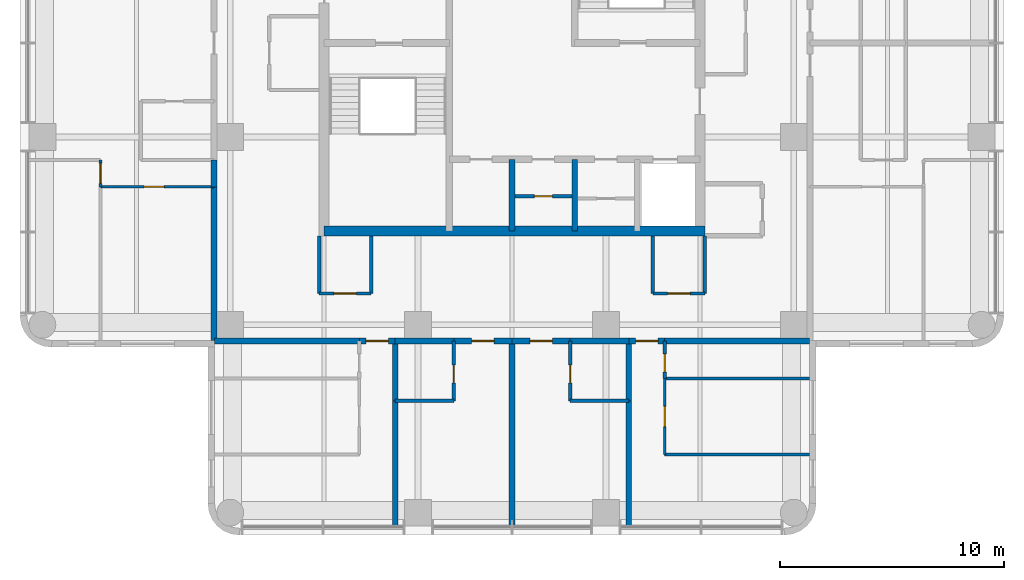
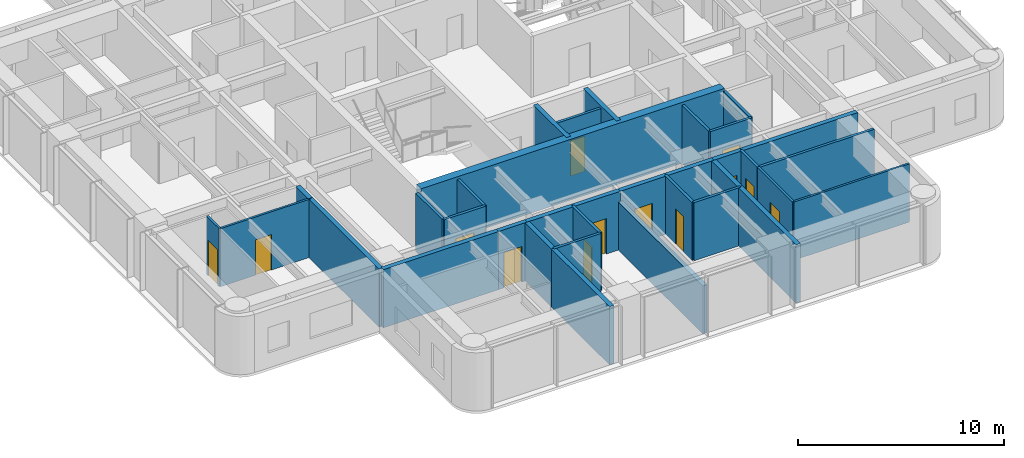
# One storey, part 4 of 10: 35 walls, 13 doors, 13 openings.
"""IFC4 building model written with IfcOpenShell, lengths in metres."""

from ifc_helpers import new_model, si_unit, direction, frame, frame_2d, origin, place, context, subcontext, project, spatial, rectangle, extrude, material, layer, layer_set, type_object, element, fill, save


model = new_model("IFC4")

# Units and contexts
model_context = context("Model", 3, precision=1e-05, world=origin(), true_north=direction((0.0, 1.0)))
body_context = subcontext(model_context, "Body", "Model", "MODEL_VIEW")
ifc_project = project(units=[si_unit("LENGTHUNIT", "METRE"), si_unit("AREAUNIT", "SQUARE_METRE"), si_unit("VOLUMEUNIT", "CUBIC_METRE"), si_unit("PLANEANGLEUNIT", "RADIAN"), si_unit("MASSUNIT", "GRAM", prefix="KILO")], contexts=[model_context])

# Site, building, storey
site_placement = place(None, origin())
site = spatial("IfcSite", under=ifc_project, at=site_placement, CompositionType="ELEMENT")
building_placement = place(site_placement, origin())
building = spatial("IfcBuilding", under=site, at=building_placement, Name="Torre Alcanfor", CompositionType="ELEMENT")
storey_placement = place(building_placement, frame((0.0, 0.0, 275.699951171875)))
storey = spatial("IfcBuildingStorey", under=building, at=storey_placement, Name="L72", CompositionType="ELEMENT", Elevation=275.699951171875)

# Wall, opening, door
ifc_material_1 = material(Name="Concrete block masonry, hollow blocks NMX-C-404 9 MPa", Category="masonry")
ifc_layer_1 = layer(ifc_material_1, 0.25)
ifc_layer_set_1 = layer_set([ifc_layer_1], Name="Apartment entrance wall 250 EI 60")
wall_type_1 = type_object("IfcWallType", Name="Apartment entrance wall 250 EI 60", PredefinedType="PARTITIONING", material=ifc_layer_set_1)
wall_1_placement = place(storey_placement, frame((32.0, 16.074951171875, 0.0), z_axis=(0.0, 0.0, 1.0), x_axis=(-1.0, 0.0, 0.0)))
wall_1 = element("IfcWall", 1, at=wall_1_placement, inside=storey, type_object=wall_type_1, Name="Partition L72-CORR / L72-S1A-STUDIO", PredefinedType="PARTITIONING", context=body_context, shape_type="SweptSolid", body=[
    extrude(rectangle(XDim=2.60009765625, YDim=0.25, at=frame_2d((1.300048828125, 0.0))), origin(), (0.0, 0.0, 1.0), 3.449951171875),
])
opening_1_placement = place(wall_1_placement, frame((0.800048828125, 0.0, 0.0)))
opening_1 = element("IfcOpeningElement", 2, at=opening_1_placement, cuts=wall_1, Name="Opening D-A1", PredefinedType="OPENING", context=body_context, shape_type="SweptSolid", body=[
    extrude(rectangle(XDim=1.0, YDim=2.10009765625, at=frame_2d((0.5, 1.050048828125))), frame((0.0, 0.135009765625, 0.0), z_axis=(0.0, -1.0, 0.0), x_axis=(1.0, 0.0, 0.0)), (0.0, 0.0, 1.0), 0.27001953125),
])
ifc_material_2 = material(Name="Galvanised steel sheet ASTM A653", Category="steel")
door_type_1 = type_object("IfcDoorType", Name="Apartment entrance door FD60 1000x2100", OperationType="SINGLE_SWING_LEFT", PredefinedType="DOOR", material=ifc_material_2)
door_1_placement = place(opening_1_placement, origin())
door_1 = element("IfcDoor", 3, at=door_1_placement, inside=storey, type_object=door_type_1, Name="Apartment entrance L72-S1A", OperationType="SINGLE_SWING_LEFT", OverallHeight=2.10009765625, OverallWidth=1.0, PredefinedType="DOOR", context=body_context, shape_type="SweptSolid", body=[
    extrude(rectangle(XDim=1.0, YDim=2.10009765625, at=frame_2d((0.5, 1.050048828125))), frame((0.0, 0.02490234375, 0.0), z_axis=(0.0, -1.0, 0.0), x_axis=(1.0, 0.0, 0.0)), (0.0, 0.0, 1.0), 0.050048828125),
])
fill(opening_1, door_1)

# Wall
wall_2_placement = place(storey_placement, frame((34.62890625, 16.074951171875, 0.0), z_axis=(0.0, 0.0, 1.0), x_axis=(-1.0, 0.0, 0.0)))
element("IfcWall", 4, at=wall_2_placement, inside=storey, type_object=wall_type_1, Name="Partition L72-CORR / L72-S1A-BATH", PredefinedType="PARTITIONING", context=body_context, shape_type="SweptSolid", body=[
    extrude(rectangle(XDim=2.62890625, YDim=0.25, at=frame_2d((1.314453125, 0.0))), origin(), (0.0, 0.0, 1.0), 3.449951171875),
])

# Wall, opening, door
wall_3_placement = place(storey_placement, frame((36.22900390625, 16.074951171875, 0.0), z_axis=(0.0, 0.0, 1.0), x_axis=(-1.0, 0.0, 0.0)))
wall_3 = element("IfcWall", 5, at=wall_3_placement, inside=storey, type_object=wall_type_1, Name="Partition L72-CORR / L72-S1B-LIVING", PredefinedType="PARTITIONING", context=body_context, shape_type="SweptSolid", body=[
    extrude(rectangle(XDim=1.60009765625, YDim=0.25, at=frame_2d((0.800048828125, 0.0))), origin(), (0.0, 0.0, 1.0), 3.449951171875),
])
opening_2_placement = place(wall_3_placement, frame((0.300048828125, 0.0, 0.0)))
opening_2 = element("IfcOpeningElement", 6, at=opening_2_placement, cuts=wall_3, Name="Opening D-A1", PredefinedType="OPENING", context=body_context, shape_type="SweptSolid", body=[
    extrude(rectangle(XDim=1.0, YDim=2.10009765625, at=frame_2d((0.5, 1.050048828125))), frame((0.0, 0.135009765625, 0.0), z_axis=(0.0, -1.0, 0.0), x_axis=(1.0, 0.0, 0.0)), (0.0, 0.0, 1.0), 0.27001953125),
])
door_2_placement = place(opening_2_placement, origin())
door_2 = element("IfcDoor", 7, at=door_2_placement, inside=storey, type_object=door_type_1, Name="Apartment entrance L72-S1B", OperationType="SINGLE_SWING_LEFT", OverallHeight=2.10009765625, OverallWidth=1.0, PredefinedType="DOOR", context=body_context, shape_type="SweptSolid", body=[
    extrude(rectangle(XDim=1.0, YDim=2.10009765625, at=frame_2d((0.5, 1.050048828125))), frame((0.0, 0.02490234375, 0.0), z_axis=(0.0, -1.0, 0.0), x_axis=(1.0, 0.0, 0.0)), (0.0, 0.0, 1.0), 0.050048828125),
])
fill(opening_2, door_2)

# Wall
wall_4_placement = place(storey_placement, frame((42.699951171875, 16.074951171875, 0.0), z_axis=(0.0, 0.0, 1.0), x_axis=(-1.0, 0.0, 0.0)))
element("IfcWall", 8, at=wall_4_placement, inside=storey, type_object=wall_type_1, Name="Partition L72-CORR / L72-S1B-BATH", PredefinedType="PARTITIONING", context=body_context, shape_type="SweptSolid", body=[
    extrude(rectangle(XDim=6.470947265625, YDim=0.25, at=frame_2d((3.2353515625, 0.0))), origin(), (0.0, 0.0, 1.0), 3.449951171875),
])

# Wall, opening, door
wall_5_placement = place(storey_placement, frame((29.39990234375, 16.074951171875, 0.0), z_axis=(0.0, 0.0, 1.0), x_axis=(-1.0, 0.0, 0.0)))
wall_5 = element("IfcWall", 9, at=wall_5_placement, inside=storey, type_object=wall_type_1, Name="Partition L72-CORR / L72-S2A-STUDIO", PredefinedType="PARTITIONING", context=body_context, shape_type="SweptSolid", body=[
    extrude(rectangle(XDim=2.599853515625, YDim=0.25, at=frame_2d((1.2998046875, 0.0))), origin(), (0.0, 0.0, 1.0), 3.449951171875),
])
opening_3_placement = place(wall_5_placement, frame((0.800048828125, 0.0, 0.0)))
opening_3 = element("IfcOpeningElement", 10, at=opening_3_placement, cuts=wall_5, Name="Opening D-A1", PredefinedType="OPENING", context=body_context, shape_type="SweptSolid", body=[
    extrude(rectangle(XDim=1.0, YDim=2.10009765625, at=frame_2d((0.5, 1.050048828125))), frame((0.0, 0.135009765625, 0.0), z_axis=(0.0, -1.0, 0.0), x_axis=(1.0, 0.0, 0.0)), (0.0, 0.0, 1.0), 0.27001953125),
])
door_3_placement = place(opening_3_placement, origin())
door_3 = element("IfcDoor", 11, at=door_3_placement, inside=storey, type_object=door_type_1, Name="Apartment entrance L72-S2A", OperationType="SINGLE_SWING_LEFT", OverallHeight=2.10009765625, OverallWidth=1.0, PredefinedType="DOOR", context=body_context, shape_type="SweptSolid", body=[
    extrude(rectangle(XDim=1.0, YDim=2.10009765625, at=frame_2d((0.5, 1.050048828125))), frame((0.0, 0.02490234375, 0.0), z_axis=(0.0, -1.0, 0.0), x_axis=(1.0, 0.0, 0.0)), (0.0, 0.0, 1.0), 0.050048828125),
])
fill(opening_3, door_3)

# Wall
wall_6_placement = place(storey_placement, frame((26.800048828125, 16.074951171875, 0.0), z_axis=(0.0, 0.0, 1.0), x_axis=(-1.0, 0.0, 0.0)))
element("IfcWall", 12, at=wall_6_placement, inside=storey, type_object=wall_type_1, Name="Partition L72-CORR / L72-S2A-BATH", PredefinedType="PARTITIONING", context=body_context, shape_type="SweptSolid", body=[
    extrude(rectangle(XDim=2.629150390625, YDim=0.25, at=frame_2d((1.314453125, 0.0))), origin(), (0.0, 0.0, 1.0), 3.449951171875),
])

# Wall, opening, door
wall_7_placement = place(storey_placement, frame((24.1708984375, 16.074951171875, 0.0), z_axis=(0.0, 0.0, 1.0), x_axis=(-1.0, 0.0, 0.0)))
wall_7 = element("IfcWall", 13, at=wall_7_placement, inside=storey, type_object=wall_type_1, Name="Partition L72-CORR / L72-S2B-LIVING", PredefinedType="PARTITIONING", context=body_context, shape_type="SweptSolid", body=[
    extrude(rectangle(XDim=1.599853515625, YDim=0.25, at=frame_2d((0.7998046875, 0.0))), origin(), (0.0, 0.0, 1.0), 3.449951171875),
])
opening_4_placement = place(wall_7_placement, frame((0.300048828125, 0.0, 0.0)))
opening_4 = element("IfcOpeningElement", 14, at=opening_4_placement, cuts=wall_7, Name="Opening D-A1", PredefinedType="OPENING", context=body_context, shape_type="SweptSolid", body=[
    extrude(rectangle(XDim=1.0, YDim=2.10009765625, at=frame_2d((0.5, 1.050048828125))), frame((0.0, 0.135009765625, 0.0), z_axis=(0.0, -1.0, 0.0), x_axis=(1.0, 0.0, 0.0)), (0.0, 0.0, 1.0), 0.27001953125),
])
door_4_placement = place(opening_4_placement, origin())
door_4 = element("IfcDoor", 15, at=door_4_placement, inside=storey, type_object=door_type_1, Name="Apartment entrance L72-S2B", OperationType="SINGLE_SWING_LEFT", OverallHeight=2.10009765625, OverallWidth=1.0, PredefinedType="DOOR", context=body_context, shape_type="SweptSolid", body=[
    extrude(rectangle(XDim=1.0, YDim=2.10009765625, at=frame_2d((0.5, 1.050048828125))), frame((0.0, 0.02490234375, 0.0), z_axis=(0.0, -1.0, 0.0), x_axis=(1.0, 0.0, 0.0)), (0.0, 0.0, 1.0), 0.050048828125),
])
fill(opening_4, door_4)

# Walls
wall_8_placement = place(storey_placement, frame((22.571044921875, 16.074951171875, 0.0), z_axis=(0.0, 0.0, 1.0), x_axis=(-1.0, 0.0, 0.0)))
element("IfcWall", 16, at=wall_8_placement, inside=storey, type_object=wall_type_1, Name="Partition L72-CORR / L72-S2B-BATH", PredefinedType="PARTITIONING", context=body_context, shape_type="SweptSolid", body=[
    extrude(rectangle(XDim=6.470947265625, YDim=0.25, at=frame_2d((3.2353515625, 0.0))), origin(), (0.0, 0.0, 1.0), 3.449951171875),
])
wall_9_placement = place(storey_placement, frame((16.074951171875, 22.970947265625, 0.0), z_axis=(0.0, 0.0, 1.0), x_axis=(0.0, 1.0, 0.0)))
element("IfcWall", 17, at=wall_9_placement, inside=storey, type_object=wall_type_1, Name="Partition L72-CORR / L72-WX-LIVING", PredefinedType="PARTITIONING", context=body_context, shape_type="SweptSolid", body=[
    extrude(rectangle(XDim=1.199951171875, YDim=0.25, at=frame_2d((0.60009765625, 0.0))), origin(), (0.0, 0.0, 1.0), 3.449951171875),
])
wall_10_placement = place(storey_placement, frame((16.074951171875, 16.10009765625, 0.0), z_axis=(0.0, 0.0, 1.0), x_axis=(0.0, 1.0, 0.0)))
element("IfcWall", 18, at=wall_10_placement, inside=storey, type_object=wall_type_1, Name="Partition L72-CORR / L72-WX-BED2", PredefinedType="PARTITIONING", context=body_context, shape_type="SweptSolid", body=[
    extrude(rectangle(XDim=6.870849609375, YDim=0.25, at=frame_2d((3.435546875, 0.0))), origin(), (0.0, 0.0, 1.0), 3.449951171875),
])

# Wall, opening, door
ifc_material_3 = material(Name="Gypsum board on steel studs", Category="steel")
ifc_layer_2 = layer(ifc_material_3, 0.1201171875)
ifc_layer_set_2 = layer_set([ifc_layer_2], Name="Apartment partition 120")
wall_type_2 = type_object("IfcWallType", Name="Apartment partition 120", PredefinedType="PARTITIONING", material=ifc_layer_set_2)
wall_11_placement = place(storey_placement, frame((36.22900390625, 14.39990234375, 0.0), z_axis=(0.0, 0.0, 1.0), x_axis=(0.0, -1.0, 0.0)))
wall_11 = element("IfcWall", 19, at=wall_11_placement, inside=storey, type_object=wall_type_2, Name="Partition L72-S1B-LIVING / L72-S1B-MASTER", PredefinedType="PARTITIONING", context=body_context, shape_type="SweptSolid", body=[
    extrude(rectangle(XDim=3.39990234375, YDim=0.1201171875, at=frame_2d((1.699951171875, 0.0))), origin(), (0.0, 0.0, 1.0), 3.449951171875),
])
opening_5_placement = place(wall_11_placement, frame((1.25, 0.0, 0.0)))
opening_5 = element("IfcOpeningElement", 20, at=opening_5_placement, cuts=wall_11, Name="Opening D-R1", PredefinedType="OPENING", context=body_context, shape_type="SweptSolid", body=[
    extrude(rectangle(XDim=0.89990234375, YDim=2.10009765625, at=frame_2d((0.449951171875, 1.050048828125))), frame((0.0, 0.070068359375, 0.0), z_axis=(0.0, -1.0, 0.0), x_axis=(1.0, 0.0, 0.0)), (0.0, 0.0, 1.0), 0.14013671875),
])
ifc_material_4 = material(Name="Timber", Category="wood")
door_type_2 = type_object("IfcDoorType", Name="Internal door 900x2100", OperationType="SINGLE_SWING_LEFT", PredefinedType="DOOR", material=ifc_material_4)
door_5_placement = place(opening_5_placement, origin())
door_5 = element("IfcDoor", 21, at=door_5_placement, inside=storey, type_object=door_type_2, Name="Door L72-S1B master", OperationType="SINGLE_SWING_LEFT", OverallHeight=2.10009765625, OverallWidth=0.89990234375, PredefinedType="DOOR", context=body_context, shape_type="SweptSolid", body=[
    extrude(rectangle(XDim=0.89990234375, YDim=2.10009765625, at=frame_2d((0.449951171875, 1.050048828125))), frame((0.0, 0.02490234375, 0.0), z_axis=(0.0, -1.0, 0.0), x_axis=(1.0, 0.0, 0.0)), (0.0, 0.0, 1.0), 0.050048828125),
])
fill(opening_5, door_5)

# Wall
wall_12_placement = place(storey_placement, frame((36.22900390625, 11.0, 0.0), z_axis=(0.0, 0.0, 1.0), x_axis=(1.0, 0.0, 0.0)))
element("IfcWall", 22, at=wall_12_placement, inside=storey, type_object=wall_type_2, Name="Partition L72-S1B-LIVING / L72-S1B-MASTER", PredefinedType="PARTITIONING", context=body_context, shape_type="SweptSolid", body=[
    extrude(rectangle(XDim=6.470947265625, YDim=0.1201171875, at=frame_2d((3.2353515625, 0.0))), origin(), (0.0, 0.0, 1.0), 3.449951171875),
])

# Wall, opening, door
wall_13_placement = place(storey_placement, frame((16.074951171875, 22.970947265625, 0.0), z_axis=(0.0, 0.0, 1.0), x_axis=(-1.0, 0.0, 0.0)))
wall_13 = element("IfcWall", 23, at=wall_13_placement, inside=storey, type_object=wall_type_2, Name="Partition L72-WX-LIVING / L72-WX-BED2", PredefinedType="PARTITIONING", context=body_context, shape_type="SweptSolid", body=[
    extrude(rectangle(XDim=5.074951171875, YDim=0.1201171875, at=frame_2d((2.53759765625, 0.0))), origin(), (0.0, 0.0, 1.0), 3.449951171875),
])
opening_6_placement = place(wall_13_placement, frame((2.22509765625, 0.0, 0.0)))
opening_6 = element("IfcOpeningElement", 24, at=opening_6_placement, cuts=wall_13, Name="Opening D-R1", PredefinedType="OPENING", context=body_context, shape_type="SweptSolid", body=[
    extrude(rectangle(XDim=0.89990234375, YDim=2.10009765625, at=frame_2d((0.449951171875, 1.050048828125))), frame((0.0, 0.070068359375, 0.0), z_axis=(0.0, -1.0, 0.0), x_axis=(1.0, 0.0, 0.0)), (0.0, 0.0, 1.0), 0.14013671875),
])
door_6_placement = place(opening_6_placement, origin())
door_6 = element("IfcDoor", 25, at=door_6_placement, inside=storey, type_object=door_type_2, Name="Door L72-WX bed2", OperationType="SINGLE_SWING_RIGHT", OverallHeight=2.10009765625, OverallWidth=0.89990234375, PredefinedType="DOOR", context=body_context, shape_type="SweptSolid", body=[
    extrude(rectangle(XDim=0.89990234375, YDim=2.10009765625, at=frame_2d((0.449951171875, 1.050048828125))), frame((0.0, 0.02490234375, 0.0), z_axis=(0.0, -1.0, 0.0), x_axis=(1.0, 0.0, 0.0)), (0.0, 0.0, 1.0), 0.050048828125),
])
fill(opening_6, door_6)

wall_14_placement = place(storey_placement, frame((11.0, 22.970947265625, 0.0), z_axis=(0.0, 0.0, 1.0), x_axis=(0.0, 1.0, 0.0)))
wall_14 = element("IfcWall", 26, at=wall_14_placement, inside=storey, type_object=wall_type_2, Name="Partition L72-WX-LIVING / L72-WX-MASTER", PredefinedType="PARTITIONING", context=body_context, shape_type="SweptSolid", body=[
    extrude(rectangle(XDim=1.199951171875, YDim=0.1201171875, at=frame_2d((0.60009765625, 0.0))), origin(), (0.0, 0.0, 1.0), 3.449951171875),
])
opening_7_placement = place(wall_14_placement, frame((0.14892578125, 0.0, 0.0)))
opening_7 = element("IfcOpeningElement", 27, at=opening_7_placement, cuts=wall_14, Name="Opening D-R1", PredefinedType="OPENING", context=body_context, shape_type="SweptSolid", body=[
    extrude(rectangle(XDim=0.89990234375, YDim=2.10009765625, at=frame_2d((0.449951171875, 1.050048828125))), frame((0.0, 0.070068359375, 0.0), z_axis=(0.0, -1.0, 0.0), x_axis=(1.0, 0.0, 0.0)), (0.0, 0.0, 1.0), 0.14013671875),
])
door_7_placement = place(opening_7_placement, origin())
door_7 = element("IfcDoor", 28, at=door_7_placement, inside=storey, type_object=door_type_2, Name="Door L72-WX master", OperationType="SINGLE_SWING_RIGHT", OverallHeight=2.10009765625, OverallWidth=0.89990234375, PredefinedType="DOOR", context=body_context, shape_type="SweptSolid", body=[
    extrude(rectangle(XDim=0.89990234375, YDim=2.10009765625, at=frame_2d((0.449951171875, 1.050048828125))), frame((0.0, 0.02490234375, 0.0), z_axis=(0.0, -1.0, 0.0), x_axis=(1.0, 0.0, 0.0)), (0.0, 0.0, 1.0), 0.050048828125),
])
fill(opening_7, door_7)

# Walls
ifc_material_5 = material(Name="Concrete f'c 70 MPa", Category="concrete")
ifc_layer_3 = layer(ifc_material_5, 0.25)
ifc_layer_set_3 = layer_set([ifc_layer_3], Name="Core shaft wall 250 f'c70")
wall_type_3 = type_object("IfcWallType", Name="Core shaft wall 250 f'c70", PredefinedType="SHEAR", material=ifc_layer_set_3)
for number, where, z_axis, x_axis, name in (
    (29, (29.39990234375, 21.0, 0.0), (0.0, 0.0, 1.0), (0.0, 1.0, 0.0), "Core wall X294S L72"),
    (30, (32.199951171875, 21.0, 0.0), (0.0, 0.0, 1.0), (0.0, 1.0, 0.0), "Core wall X322S L72"),
):
    element("IfcWall", number, at=place(storey_placement, frame(where, z_axis=z_axis, x_axis=x_axis)), inside=storey, type_object=wall_type_3, Name=name, PredefinedType="SHEAR", context=body_context, shape_type="SweptSolid", body=[
        extrude(rectangle(XDim=3.199951171875, YDim=0.25, at=frame_2d((1.60009765625, 0.0))), origin(), (0.0, 0.0, 1.0), 3.60009765625),
    ])
ifc_material_6 = material(Name="Concrete f'c 70 MPa", Category="concrete")
ifc_layer_4 = layer(ifc_material_6, 0.449951171875)
ifc_layer_set_4 = layer_set([ifc_layer_4], Name="Core wall 450 f'c70")
wall_type_4 = type_object("IfcWallType", Name="Core wall 450 f'c70", PredefinedType="SHEAR", material=ifc_layer_set_4)
wall_15_placement = place(storey_placement, frame((21.0, 21.0, 0.0), z_axis=(0.0, 0.0, 1.0), x_axis=(1.0, 0.0, 0.0)))
element("IfcWall", 31, at=wall_15_placement, inside=storey, type_object=wall_type_4, Name="Core wall OUT-S L72", PredefinedType="SHEAR", context=body_context, shape_type="SweptSolid", body=[
    extrude(rectangle(XDim=17.02490234375, YDim=0.449951171875, at=frame_2d((8.512451171875, 0.0))), origin(), (0.0, 0.0, 1.0), 3.60009765625),
])
ifc_material_7 = material(Name="Concrete block masonry, hollow blocks NMX-C-404 9 MPa", Category="masonry")
ifc_layer_5 = layer(ifc_material_7, 0.25)
ifc_layer_set_5 = layer_set([ifc_layer_5], Name="Party wall 250 EI 60")
wall_type_5 = type_object("IfcWallType", Name="Party wall 250 EI 60", PredefinedType="PARTITIONING", material=ifc_layer_set_5)
wall_16_placement = place(storey_placement, frame((34.62890625, 13.39990234375, 0.0), z_axis=(0.0, 0.0, 1.0), x_axis=(0.0, -1.0, 0.0)))
element("IfcWall", 32, at=wall_16_placement, inside=storey, type_object=wall_type_5, Name="Partition L72-S1A-STUDIO / L72-S1B-LIVING", PredefinedType="PARTITIONING", context=body_context, shape_type="SweptSolid", body=[
    extrude(rectangle(XDim=5.64990234375, YDim=0.25, at=frame_2d((2.824951171875, 0.0))), origin(), (0.0, 0.0, 1.0), 3.449951171875),
])
wall_17_placement = place(storey_placement, frame((29.39990234375, 7.75, 0.0), z_axis=(0.0, 0.0, 1.0), x_axis=(0.0, 1.0, 0.0)))
element("IfcWall", 33, at=wall_17_placement, inside=storey, type_object=wall_type_5, Name="Partition L72-S1A-STUDIO / L72-S2A-STUDIO", PredefinedType="PARTITIONING", context=body_context, shape_type="SweptSolid", body=[
    extrude(rectangle(XDim=8.324951171875, YDim=0.25, at=frame_2d((4.16259765625, 0.0))), origin(), (0.0, 0.0, 1.0), 2.84814453125),
])
wall_18_placement = place(storey_placement, frame((34.62890625, 13.39990234375, 0.0), z_axis=(0.0, 0.0, 1.0), x_axis=(0.0, 1.0, 0.0)))
element("IfcWall", 34, at=wall_18_placement, inside=storey, type_object=wall_type_5, Name="Partition L72-S1A-BATH / L72-S1B-LIVING", PredefinedType="PARTITIONING", context=body_context, shape_type="SweptSolid", body=[
    extrude(rectangle(XDim=2.675048828125, YDim=0.25, at=frame_2d((1.33740234375, 0.0))), origin(), (0.0, 0.0, 1.0), 3.449951171875),
])
wall_19_placement = place(storey_placement, frame((24.1708984375, 7.75, 0.0), z_axis=(0.0, 0.0, 1.0), x_axis=(0.0, 1.0, 0.0)))
element("IfcWall", 35, at=wall_19_placement, inside=storey, type_object=wall_type_5, Name="Partition L72-S2A-STUDIO / L72-S2B-LIVING", PredefinedType="PARTITIONING", context=body_context, shape_type="SweptSolid", body=[
    extrude(rectangle(XDim=5.64990234375, YDim=0.25, at=frame_2d((2.824951171875, 0.0))), origin(), (0.0, 0.0, 1.0), 3.449951171875),
])
wall_20_placement = place(storey_placement, frame((24.1708984375, 13.39990234375, 0.0), z_axis=(0.0, 0.0, 1.0), x_axis=(0.0, 1.0, 0.0)))
element("IfcWall", 36, at=wall_20_placement, inside=storey, type_object=wall_type_5, Name="Partition L72-S2A-BATH / L72-S2B-LIVING", PredefinedType="PARTITIONING", context=body_context, shape_type="SweptSolid", body=[
    extrude(rectangle(XDim=2.675048828125, YDim=0.25, at=frame_2d((1.33740234375, 0.0))), origin(), (0.0, 0.0, 1.0), 3.449951171875),
])
ifc_material_8 = material(Name="Concrete block masonry, hollow blocks NMX-C-404 9 MPa", Category="masonry")
ifc_layer_6 = layer(ifc_material_8, 0.14990234375)
ifc_layer_set_6 = layer_set([ifc_layer_6], Name="Residents' room partition 150")
wall_type_6 = type_object("IfcWallType", Name="Residents' room partition 150", PredefinedType="PARTITIONING", material=ifc_layer_set_6)
wall_21_placement = place(storey_placement, frame((20.77490234375, 20.77490234375, 0.0), z_axis=(0.0, 0.0, 1.0), x_axis=(0.0, -1.0, 0.0)))
element("IfcWall", 37, at=wall_21_placement, inside=storey, type_object=wall_type_6, Name="Partition L72-CORR / L72-G05", PredefinedType="PARTITIONING", context=body_context, shape_type="SweptSolid", body=[
    extrude(rectangle(XDim=2.574951171875, YDim=0.14990234375, at=frame_2d((1.28759765625, 0.0))), origin(), (0.0, 0.0, 1.0), 3.449951171875),
])

# Wall, opening, door
wall_22_placement = place(storey_placement, frame((20.77490234375, 18.199951171875, 0.0), z_axis=(0.0, 0.0, 1.0), x_axis=(1.0, 0.0, 0.0)))
wall_22 = element("IfcWall", 38, at=wall_22_placement, inside=storey, type_object=wall_type_6, Name="Partition L72-CORR / L72-G05", PredefinedType="PARTITIONING", context=body_context, shape_type="SweptSolid", body=[
    extrude(rectangle(XDim=2.3251953125, YDim=0.14990234375, at=frame_2d((1.16259765625, 0.0))), origin(), (0.0, 0.0, 1.0), 3.449951171875),
])
opening_8_placement = place(wall_22_placement, frame((0.66259765625, 0.0, 0.0)))
opening_8 = element("IfcOpeningElement", 39, at=opening_8_placement, cuts=wall_22, Name="Opening D-M1", PredefinedType="OPENING", context=body_context, shape_type="SweptSolid", body=[
    extrude(rectangle(XDim=1.0, YDim=2.10009765625, at=frame_2d((0.5, 1.050048828125))), frame((0.0, 0.0849609375, 0.0), z_axis=(0.0, -1.0, 0.0), x_axis=(1.0, 0.0, 0.0)), (0.0, 0.0, 1.0), 0.169921875),
])
ifc_material_9 = material(Name="Timber", Category="wood")
door_type_3 = type_object("IfcDoorType", Name="Residents' room door 1000x2100", OperationType="SINGLE_SWING_LEFT", PredefinedType="DOOR", material=ifc_material_9)
door_8_placement = place(opening_8_placement, origin())
door_8 = element("IfcDoor", 40, at=door_8_placement, inside=storey, type_object=door_type_3, Name="Door L72-G05 residents' lockers", OperationType="SINGLE_SWING_LEFT", OverallHeight=2.10009765625, OverallWidth=1.0, PredefinedType="DOOR", context=body_context, shape_type="SweptSolid", body=[
    extrude(rectangle(XDim=1.0, YDim=2.10009765625, at=frame_2d((0.5, 1.050048828125))), frame((0.0, 0.02490234375, 0.0), z_axis=(0.0, -1.0, 0.0), x_axis=(1.0, 0.0, 0.0)), (0.0, 0.0, 1.0), 0.050048828125),
])
fill(opening_8, door_8)

# Walls
for number, where, z_axis, x_axis, name in (
    (41, (23.10009765625, 18.199951171875, 0.0), (0.0, 0.0, 1.0), (0.0, 1.0, 0.0), "Partition L72-CORR / L72-G05"),
    (42, (35.699951171875, 20.77490234375, 0.0), (0.0, 0.0, 1.0), (0.0, -1.0, 0.0), "Partition L72-CORR / L72-G06"),
):
    element("IfcWall", number, at=place(storey_placement, frame(where, z_axis=z_axis, x_axis=x_axis)), inside=storey, type_object=wall_type_6, Name=name, PredefinedType="PARTITIONING", context=body_context, shape_type="SweptSolid", body=[
        extrude(rectangle(XDim=2.574951171875, YDim=0.14990234375, at=frame_2d((1.28759765625, 0.0))), origin(), (0.0, 0.0, 1.0), 3.449951171875),
    ])

# Wall, opening, door
wall_23_placement = place(storey_placement, frame((35.699951171875, 18.199951171875, 0.0), z_axis=(0.0, 0.0, 1.0), x_axis=(1.0, 0.0, 0.0)))
wall_23 = element("IfcWall", 43, at=wall_23_placement, inside=storey, type_object=wall_type_6, Name="Partition L72-CORR / L72-G06", PredefinedType="PARTITIONING", context=body_context, shape_type="SweptSolid", body=[
    extrude(rectangle(XDim=2.324951171875, YDim=0.14990234375, at=frame_2d((1.16259765625, 0.0))), origin(), (0.0, 0.0, 1.0), 3.449951171875),
])
opening_9_placement = place(wall_23_placement, frame((0.66259765625, 0.0, 0.0)))
opening_9 = element("IfcOpeningElement", 44, at=opening_9_placement, cuts=wall_23, Name="Opening D-M1", PredefinedType="OPENING", context=body_context, shape_type="SweptSolid", body=[
    extrude(rectangle(XDim=1.0, YDim=2.10009765625, at=frame_2d((0.5, 1.050048828125))), frame((0.0, 0.0849609375, 0.0), z_axis=(0.0, -1.0, 0.0), x_axis=(1.0, 0.0, 0.0)), (0.0, 0.0, 1.0), 0.169921875),
])
door_9_placement = place(opening_9_placement, origin())
door_9 = element("IfcDoor", 45, at=door_9_placement, inside=storey, type_object=door_type_3, Name="Door L72-G06 residents' storage", OperationType="SINGLE_SWING_LEFT", OverallHeight=2.10009765625, OverallWidth=1.0, PredefinedType="DOOR", context=body_context, shape_type="SweptSolid", body=[
    extrude(rectangle(XDim=1.0, YDim=2.10009765625, at=frame_2d((0.5, 1.050048828125))), frame((0.0, 0.02490234375, 0.0), z_axis=(0.0, -1.0, 0.0), x_axis=(1.0, 0.0, 0.0)), (0.0, 0.0, 1.0), 0.050048828125),
])
fill(opening_9, door_9)

# Wall
wall_24_placement = place(storey_placement, frame((38.02490234375, 18.199951171875, 0.0), z_axis=(0.0, 0.0, 1.0), x_axis=(0.0, 1.0, 0.0)))
element("IfcWall", 46, at=wall_24_placement, inside=storey, type_object=wall_type_6, Name="Partition L72-CORR / L72-G06", PredefinedType="PARTITIONING", context=body_context, shape_type="SweptSolid", body=[
    extrude(rectangle(XDim=2.574951171875, YDim=0.14990234375, at=frame_2d((1.28759765625, 0.0))), origin(), (0.0, 0.0, 1.0), 3.449951171875),
])

# Wall, opening, door
wall_25_placement = place(storey_placement, frame((29.52490234375, 22.550048828125, 0.0), z_axis=(0.0, 0.0, 1.0), x_axis=(1.0, 0.0, 0.0)))
wall_25 = element("IfcWall", 47, at=wall_25_placement, inside=storey, type_object=wall_type_6, Name="Partition L72-PA2R / L72-PA2C", PredefinedType="PARTITIONING", context=body_context, shape_type="SweptSolid", body=[
    extrude(rectangle(XDim=2.550048828125, YDim=0.14990234375, at=frame_2d((1.27490234375, 0.0))), origin(), (0.0, 0.0, 1.0), 3.449951171875),
])
opening_10_placement = place(wall_25_placement, frame((0.875, 0.0, 0.0)))
opening_10 = element("IfcOpeningElement", 48, at=opening_10_placement, cuts=wall_25, Name="Opening D-R2", PredefinedType="OPENING", context=body_context, shape_type="SweptSolid", body=[
    extrude(rectangle(XDim=0.800048828125, YDim=2.10009765625, at=frame_2d((0.39990234375, 1.050048828125))), frame((0.0, 0.0849609375, 0.0), z_axis=(0.0, -1.0, 0.0), x_axis=(1.0, 0.0, 0.0)), (0.0, 0.0, 1.0), 0.169921875),
])
ifc_material_10 = material(Name="Timber", Category="wood")
door_type_4 = type_object("IfcDoorType", Name="Bathroom door 800x2100", OperationType="SINGLE_SWING_LEFT", PredefinedType="DOOR", material=ifc_material_10)
door_10_placement = place(opening_10_placement, frame((0.800048828125, 0.0, 0.0), z_axis=(0.0, 0.0, 1.0), x_axis=(-1.0, 0.0, 0.0)))
door_10 = element("IfcDoor", 49, at=door_10_placement, inside=storey, type_object=door_type_4, Name="Linen cupboard door L72", OperationType="SINGLE_SWING_RIGHT", OverallHeight=2.10009765625, OverallWidth=0.800048828125, PredefinedType="DOOR", context=body_context, shape_type="SweptSolid", body=[
    extrude(rectangle(XDim=0.800048828125, YDim=2.10009765625, at=frame_2d((0.400146484375, 1.050048828125))), frame((0.0, 0.025146484375, 0.0), z_axis=(0.0, -1.0, 0.0), x_axis=(1.0, 0.0, 0.0)), (0.0, 0.0, 1.0), 0.050048828125),
])
fill(opening_10, door_10)

ifc_material_11 = material(Name="Cement board on steel studs", Category="steel")
ifc_layer_7 = layer(ifc_material_11, 0.14990234375)
ifc_layer_set_7 = layer_set([ifc_layer_7], Name="Wet area partition 150")
wall_type_7 = type_object("IfcWallType", Name="Wet area partition 150", PredefinedType="PARTITIONING", material=ifc_layer_set_7)
wall_26_placement = place(storey_placement, frame((32.0, 16.074951171875, 0.0), z_axis=(0.0, 0.0, 1.0), x_axis=(0.0, -1.0, 0.0)))
wall_26 = element("IfcWall", 50, at=wall_26_placement, inside=storey, type_object=wall_type_7, Name="Partition L72-S1A-STUDIO / L72-S1A-BATH", PredefinedType="PARTITIONING", context=body_context, shape_type="SweptSolid", body=[
    extrude(rectangle(XDim=2.675048828125, YDim=0.14990234375, at=frame_2d((1.33740234375, 0.0))), origin(), (0.0, 0.0, 1.0), 3.449951171875),
])
opening_11_placement = place(wall_26_placement, frame((1.074951171875, 0.0, 0.0)))
opening_11 = element("IfcOpeningElement", 51, at=opening_11_placement, cuts=wall_26, Name="Opening D-R2", PredefinedType="OPENING", context=body_context, shape_type="SweptSolid", body=[
    extrude(rectangle(XDim=0.800048828125, YDim=2.10009765625, at=frame_2d((0.39990234375, 1.050048828125))), frame((0.0, 0.0849609375, 0.0), z_axis=(0.0, -1.0, 0.0), x_axis=(1.0, 0.0, 0.0)), (0.0, 0.0, 1.0), 0.169921875),
])
door_11_placement = place(opening_11_placement, origin())
door_11 = element("IfcDoor", 52, at=door_11_placement, inside=storey, type_object=door_type_4, Name="Door L72-S1A bath", OperationType="SINGLE_SWING_RIGHT", OverallHeight=2.10009765625, OverallWidth=0.800048828125, PredefinedType="DOOR", context=body_context, shape_type="SweptSolid", body=[
    extrude(rectangle(XDim=0.800048828125, YDim=2.10009765625, at=frame_2d((0.39990234375, 1.050048828125))), frame((0.0, 0.02490234375, 0.0), z_axis=(0.0, -1.0, 0.0), x_axis=(1.0, 0.0, 0.0)), (0.0, 0.0, 1.0), 0.050048828125),
])
fill(opening_11, door_11)

# Wall
wall_27_placement = place(storey_placement, frame((32.0, 13.39990234375, 0.0), z_axis=(0.0, 0.0, 1.0), x_axis=(1.0, 0.0, 0.0)))
element("IfcWall", 53, at=wall_27_placement, inside=storey, type_object=wall_type_7, Name="Partition L72-S1A-STUDIO / L72-S1A-BATH", PredefinedType="PARTITIONING", context=body_context, shape_type="SweptSolid", body=[
    extrude(rectangle(XDim=2.62890625, YDim=0.14990234375, at=frame_2d((1.314453125, 0.0))), origin(), (0.0, 0.0, 1.0), 3.449951171875),
])

# Wall, opening, door
wall_28_placement = place(storey_placement, frame((36.22900390625, 16.074951171875, 0.0), z_axis=(0.0, 0.0, 1.0), x_axis=(0.0, -1.0, 0.0)))
wall_28 = element("IfcWall", 54, at=wall_28_placement, inside=storey, type_object=wall_type_7, Name="Partition L72-S1B-LIVING / L72-S1B-BATH", PredefinedType="PARTITIONING", context=body_context, shape_type="SweptSolid", body=[
    extrude(rectangle(XDim=1.675048828125, YDim=0.14990234375, at=frame_2d((0.83740234375, 0.0))), origin(), (0.0, 0.0, 1.0), 3.449951171875),
])
opening_12_placement = place(wall_28_placement, frame((0.574951171875, 0.0, 0.0)))
opening_12 = element("IfcOpeningElement", 55, at=opening_12_placement, cuts=wall_28, Name="Opening D-R2", PredefinedType="OPENING", context=body_context, shape_type="SweptSolid", body=[
    extrude(rectangle(XDim=0.800048828125, YDim=2.10009765625, at=frame_2d((0.39990234375, 1.050048828125))), frame((0.0, 0.0849609375, 0.0), z_axis=(0.0, -1.0, 0.0), x_axis=(1.0, 0.0, 0.0)), (0.0, 0.0, 1.0), 0.169921875),
])
door_12_placement = place(opening_12_placement, origin())
door_12 = element("IfcDoor", 56, at=door_12_placement, inside=storey, type_object=door_type_4, Name="Door L72-S1B bath", OperationType="SINGLE_SWING_RIGHT", OverallHeight=2.10009765625, OverallWidth=0.800048828125, PredefinedType="DOOR", context=body_context, shape_type="SweptSolid", body=[
    extrude(rectangle(XDim=0.800048828125, YDim=2.10009765625, at=frame_2d((0.39990234375, 1.050048828125))), frame((0.0, 0.02490234375, 0.0), z_axis=(0.0, -1.0, 0.0), x_axis=(1.0, 0.0, 0.0)), (0.0, 0.0, 1.0), 0.050048828125),
])
fill(opening_12, door_12)

# Walls
wall_29_placement = place(storey_placement, frame((36.22900390625, 14.39990234375, 0.0), z_axis=(0.0, 0.0, 1.0), x_axis=(1.0, 0.0, 0.0)))
element("IfcWall", 57, at=wall_29_placement, inside=storey, type_object=wall_type_7, Name="Partition L72-S1B-BATH / L72-S1B-MASTER", PredefinedType="PARTITIONING", context=body_context, shape_type="SweptSolid", body=[
    extrude(rectangle(XDim=6.470947265625, YDim=0.14990234375, at=frame_2d((3.2353515625, 0.0))), origin(), (0.0, 0.0, 1.0), 3.449951171875),
])
wall_30_placement = place(storey_placement, frame((24.1708984375, 13.39990234375, 0.0), z_axis=(0.0, 0.0, 1.0), x_axis=(1.0, 0.0, 0.0)))
element("IfcWall", 58, at=wall_30_placement, inside=storey, type_object=wall_type_7, Name="Partition L72-S2A-STUDIO / L72-S2A-BATH", PredefinedType="PARTITIONING", context=body_context, shape_type="SweptSolid", body=[
    extrude(rectangle(XDim=2.629150390625, YDim=0.14990234375, at=frame_2d((1.314453125, 0.0))), origin(), (0.0, 0.0, 1.0), 3.449951171875),
])

# Wall, opening, door
wall_31_placement = place(storey_placement, frame((26.800048828125, 13.39990234375, 0.0), z_axis=(0.0, 0.0, 1.0), x_axis=(0.0, 1.0, 0.0)))
wall_31 = element("IfcWall", 59, at=wall_31_placement, inside=storey, type_object=wall_type_7, Name="Partition L72-S2A-STUDIO / L72-S2A-BATH", PredefinedType="PARTITIONING", context=body_context, shape_type="SweptSolid", body=[
    extrude(rectangle(XDim=2.675048828125, YDim=0.14990234375, at=frame_2d((1.33740234375, 0.0))), origin(), (0.0, 0.0, 1.0), 3.449951171875),
])
opening_13_placement = place(wall_31_placement, frame((0.800048828125, 0.0, 0.0)))
opening_13 = element("IfcOpeningElement", 60, at=opening_13_placement, cuts=wall_31, Name="Opening D-R2", PredefinedType="OPENING", context=body_context, shape_type="SweptSolid", body=[
    extrude(rectangle(XDim=0.800048828125, YDim=2.10009765625, at=frame_2d((0.39990234375, 1.050048828125))), frame((0.0, 0.0849609375, 0.0), z_axis=(0.0, -1.0, 0.0), x_axis=(1.0, 0.0, 0.0)), (0.0, 0.0, 1.0), 0.169921875),
])
door_13_placement = place(opening_13_placement, origin())
door_13 = element("IfcDoor", 61, at=door_13_placement, inside=storey, type_object=door_type_4, Name="Door L72-S2A bath", OperationType="SINGLE_SWING_LEFT", OverallHeight=2.10009765625, OverallWidth=0.800048828125, PredefinedType="DOOR", context=body_context, shape_type="SweptSolid", body=[
    extrude(rectangle(XDim=0.800048828125, YDim=2.10009765625, at=frame_2d((0.39990234375, 1.050048828125))), frame((0.0, 0.02490234375, 0.0), z_axis=(0.0, -1.0, 0.0), x_axis=(1.0, 0.0, 0.0)), (0.0, 0.0, 1.0), 0.050048828125),
])
fill(opening_13, door_13)

save(model, "model.ifc")
